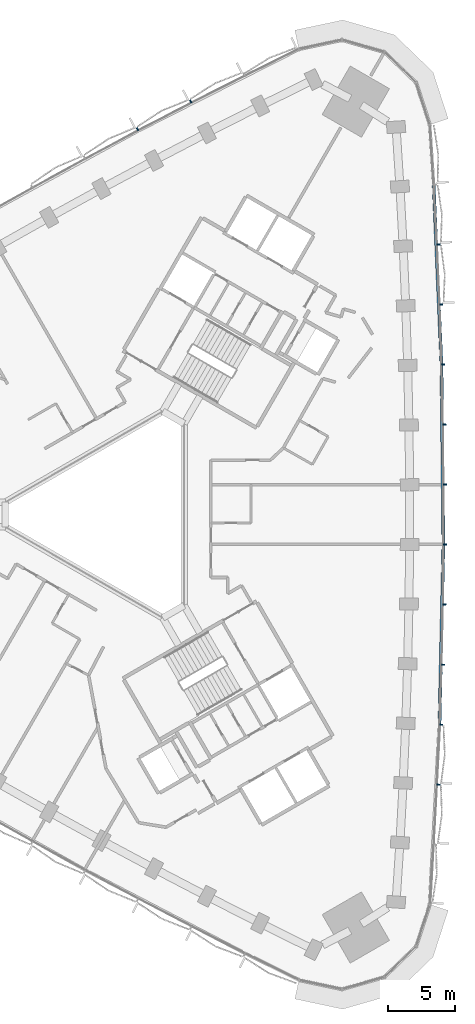
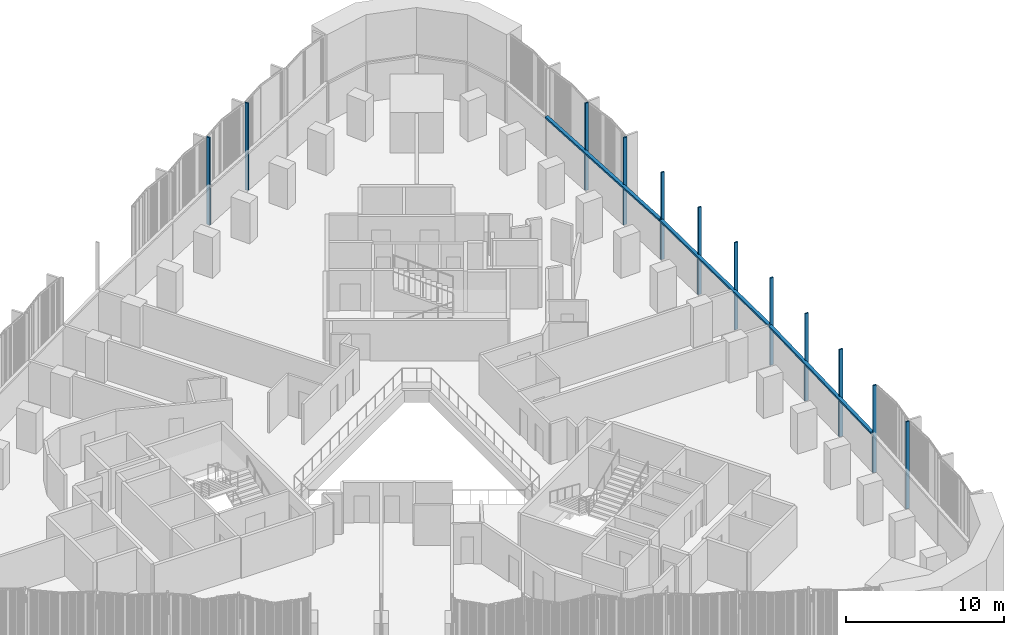
# One storey, part 6 of 16: 15 members, 2 elements without a shape of their own.
"""IFC4 building model written with IfcOpenShell, lengths in metres."""

import ifcopenshell
import ifcopenshell.guid

model = None  # the IFC model being written
_history = None  # IfcOwnerHistory: only IFC2X3 demands one
_inside = {}  # id of a spatial element -> (the spatial element, [elements in it])
_under = {}  # id of a project, library or spatial element -> (it, [spatial elements below it])
_declared = {}  # id of a project -> (the project, [libraries it declares])
_typed = {}  # id of a type object -> (the type object, [elements of that type])
_made_of = {}  # id of a material, layer set ... -> (it, [elements and type objects made of it])


def new_model(schema):
    """Start an empty IFC model of exactly this schema.

    Asked for "IFC4X3", IfcOpenShell would pick the latest addendum, in which some entities
    have other attributes; the version numbers below select the first issue.
    IFC2X3 requires an IfcOwnerHistory on every rooted entity: one is made here for all.
    """
    global model, _history
    if schema == "IFC4X3":
        model = ifcopenshell.file(schema_version=(4, 3, 0, 0))
    else:
        model = ifcopenshell.file(schema=schema)
    _inside.clear()
    _under.clear()
    _declared.clear()
    _typed.clear()
    _made_of.clear()
    _history = None
    if model.schema == "IFC2X3":
        org = make("IfcOrganization", Name="unknown")
        user = make(
            "IfcPersonAndOrganization",
            ThePerson=make("IfcPerson", FamilyName="unknown"),
            TheOrganization=org,
        )
        app = make(
            "IfcApplication",
            ApplicationDeveloper=org,
            Version="unknown",
            ApplicationFullName="unknown",
            ApplicationIdentifier="unknown",
        )
        _history = make(
            "IfcOwnerHistory",
            OwningUser=user,
            OwningApplication=app,
            ChangeAction="ADDED",
            CreationDate=0,
        )
    return model


def make(cls, **values):
    """One entity of the class cls with the attributes given. An attribute that is None is left unset."""
    return model.create_entity(
        cls, **{name: value for name, value in values.items() if value is not None}
    )


def rooted(cls, **values):
    """An entity with a GlobalId (a new one), such as an element, a storey or a relation."""
    return make(cls, GlobalId=ifcopenshell.guid.new(), OwnerHistory=_history, **values)


def si_unit(unit_type, name, prefix=None):
    """IfcSIUnit, for example si_unit("LENGTHUNIT", "METRE", prefix="MILLI")."""
    return make("IfcSIUnit", UnitType=unit_type, Prefix=prefix, Name=name)


def assignment(units):
    """IfcUnitAssignment: the units of a project."""
    return None if units is None else make("IfcUnitAssignment", Units=units)


def point(xyz):
    """IfcCartesianPoint."""
    return None if xyz is None else make("IfcCartesianPoint", Coordinates=xyz)


def direction(xyz):
    """IfcDirection."""
    return None if xyz is None else make("IfcDirection", DirectionRatios=xyz)


def frame(location, z_axis=None, x_axis=None):
    """IfcAxis2Placement3D, a coordinate frame: its origin and axes. An axis left out is left unset."""
    return make(
        "IfcAxis2Placement3D",
        Location=point(location),
        Axis=direction(z_axis),
        RefDirection=direction(x_axis),
    )


def frame_2d(location, x_axis=None):
    """IfcAxis2Placement2D, a coordinate frame in the plane: its origin and x axis."""
    return make(
        "IfcAxis2Placement2D", Location=point(location), RefDirection=direction(x_axis)
    )


def origin():
    """The frame at (0, 0, 0) with its axes left unset."""
    return frame((0.0, 0.0, 0.0))


def origin_2d():
    """The frame at (0, 0) in the plane with its x axis left unset."""
    return frame_2d((0.0, 0.0))


def place(relative_to, where):
    """IfcLocalPlacement: puts the frame where relative to a parent placement (None: the world)."""
    return make(
        "IfcLocalPlacement", PlacementRelTo=relative_to, RelativePlacement=where
    )


def context(
    kind, dimensions, precision=None, world=None, true_north=None, identifier=None
):
    """IfcGeometricRepresentationContext, for example the 3D "Model" context."""
    return make(
        "IfcGeometricRepresentationContext",
        ContextIdentifier=identifier,
        ContextType=kind,
        CoordinateSpaceDimension=dimensions,
        Precision=precision,
        WorldCoordinateSystem=world,
        TrueNorth=true_north,
    )


def subcontext(parent, identifier, kind, view, scale=None):
    """IfcGeometricRepresentationSubContext, for example "Body" below "Model"."""
    return make(
        "IfcGeometricRepresentationSubContext",
        ContextIdentifier=identifier,
        ContextType=kind,
        ParentContext=parent,
        TargetScale=scale,
        TargetView=view,
    )


def project(units=None, contexts=None):
    """IfcProject with its units and contexts."""
    return rooted(
        "IfcProject",
        Name="project",
        RepresentationContexts=contexts,
        UnitsInContext=assignment(units),
    )


def spatial(cls, under=None, at=None, **own):
    """A site, building, storey or space (cls), placed at a placement, below another one or the project."""
    s = rooted(cls, ObjectPlacement=at, **own)
    if under is not None:
        _under.setdefault(under.id(), (under, []))[1].append(s)
    return s


def profile(cls, at=None, kind="AREA", **sizes):
    """A parametric profile (cls). Its sizes go by their IFC names, for example OverallWidth=200.0."""
    return make(cls, ProfileType=kind, Position=at, **sizes)


def rectangle(**sizes):
    """IfcRectangleProfileDef."""
    return profile("IfcRectangleProfileDef", **sizes)


def extrude(swept, where, along, depth):
    """IfcExtrudedAreaSolid: the profile swept, set in the frame where, extruded along a direction by depth."""
    return make(
        "IfcExtrudedAreaSolid",
        SweptArea=swept,
        Position=where,
        ExtrudedDirection=direction(along),
        Depth=depth,
    )


def shape(context_of_items, identifier, shape_type, items):
    """IfcShapeRepresentation: the items that make up one representation, for example the "Body"."""
    return make(
        "IfcShapeRepresentation",
        ContextOfItems=context_of_items,
        RepresentationIdentifier=identifier,
        RepresentationType=shape_type,
        Items=items,
    )


def material(Name=None, Category=None):
    """IfcMaterial."""
    return make("IfcMaterial", Name=Name, Category=Category)


def material_profile(
    of_material, cross_section, Name=None, Category=None, Priority=None
):
    """IfcMaterialProfile: a cross section and its material."""
    return make(
        "IfcMaterialProfile",
        Name=Name,
        Material=of_material,
        Profile=cross_section,
        Priority=Priority,
        Category=Category,
    )


def profile_set(profiles, Name=None, composite=None):
    """IfcMaterialProfileSet."""
    return make(
        "IfcMaterialProfileSet",
        Name=Name,
        MaterialProfiles=profiles,
        CompositeProfile=composite,
    )


def made_of(thing, what):
    """Note that an element or type object is made of a material, layer set ...; save() writes the relation."""
    if what is not None:
        _made_of.setdefault(what.id(), (what, []))[1].append(thing)
    return thing


def type_object(cls, material=None, **own):
    """A type object (cls), such as IfcWallType, which elements share."""
    return made_of(rooted(cls, **own), material)


def element(
    cls,
    number,
    at=None,
    inside=None,
    cuts=None,
    type_object=None,
    material=None,
    context=None,
    identifier="Body",
    shape_type=None,
    held_by="IfcProductDefinitionShape",
    body=None,
    shapes=None,
    **own,
):
    """One element of the class cls, such as IfcWall. Its Tag is "e" and its number.

    at: its placement. inside: the storey or other place that contains it. cuts: it is an
    opening in that element (IfcRelVoidsElement). A single representation is given by context,
    identifier, shape_type and body (its items); several are given by shapes. held_by: the class
    of the entity that holds the representations. save() writes the other relations.
    """
    e = rooted(cls, Tag="e%d" % number, ObjectPlacement=at, **own)
    if body is not None:
        shapes = [shape(context, identifier, shape_type, body)]
    if shapes is not None:
        e.Representation = make(held_by, Representations=shapes)
    if inside is not None:
        _inside.setdefault(inside.id(), (inside, []))[1].append(e)
    if cuts is not None:
        rooted(
            "IfcRelVoidsElement", RelatingBuildingElement=cuts, RelatedOpeningElement=e
        )
    if type_object is not None:
        _typed.setdefault(type_object.id(), (type_object, []))[1].append(e)
    return made_of(e, material)


def aggregate(whole, parts):
    """IfcRelAggregates: a whole, such as a stair, and the parts it consists of."""
    return rooted("IfcRelAggregates", RelatingObject=whole, RelatedObjects=parts)


def save(model, path):
    """Write the relations noted so far, then the file.

    IfcRelAggregates (storeys below a building ...), IfcRelContainedInSpatialStructure (elements
    in a storey), IfcRelDefinesByType, IfcRelAssociatesMaterial and IfcRelDeclares: one each for
    every whole, place, type object, material and project.
    """
    for whole, parts in _under.values():
        aggregate(whole, parts)
    for where, things in _inside.values():
        rooted(
            "IfcRelContainedInSpatialStructure",
            RelatedElements=things,
            RelatingStructure=where,
        )
    for kind, things in _typed.values():
        rooted("IfcRelDefinesByType", RelatedObjects=things, RelatingType=kind)
    for what, things in _made_of.values():
        rooted("IfcRelAssociatesMaterial", RelatedObjects=things, RelatingMaterial=what)
    for by, libraries in _declared.values():
        rooted("IfcRelDeclares", RelatingContext=by, RelatedDefinitions=libraries)
    model.write(path)


model = new_model("IFC4")

# Units and contexts
model_context = context("Model", 3, precision=1e-05, world=origin(), true_north=direction((0.0, 1.0)))
body_context = subcontext(model_context, "Body", "Model", "MODEL_VIEW")
ifc_project = project(units=[si_unit("LENGTHUNIT", "METRE"), si_unit("AREAUNIT", "SQUARE_METRE"), si_unit("VOLUMEUNIT", "CUBIC_METRE"), si_unit("PLANEANGLEUNIT", "RADIAN"), si_unit("MASSUNIT", "GRAM", prefix="KILO")], contexts=[model_context])

# Site, building, storey
site_placement = place(None, origin())
site = spatial("IfcSite", under=ifc_project, at=site_placement, CompositionType="ELEMENT")
building_placement = place(site_placement, origin())
building = spatial("IfcBuilding", under=site, at=building_placement, Name="Tamra Quay Hotel Tower", CompositionType="ELEMENT")
storey_placement = place(building_placement, frame((0.0, 0.0, 45.800048828125)))
storey = spatial("IfcBuildingStorey", under=building, at=storey_placement, Name="L09", CompositionType="ELEMENT", Elevation=45.800048828125)

# Curtain wall, members
ifc_material = material(Name="Aluminium 6063 anodised dark grey", Category="aluminium")
curtain_wall_type_1 = type_object("IfcCurtainWallType", Name="CW1 CURTAIN WALL", PredefinedType="NOTDEFINED", material=ifc_material)
curtain_wall_1_placement = place(storey_placement, origin())
curtain_wall_1 = element("IfcCurtainWall", 1, at=curtain_wall_1_placement, inside=storey, type_object=curtain_wall_type_1, Name="CW1 east face L09", PredefinedType="NOTDEFINED")
ifc_material_profile_1 = material_profile(ifc_material, rectangle(XDim=0.239990234375, YDim=0.10009765625, at=origin_2d()), Name="MULLION 100X240")
ifc_profile_set_1 = profile_set([ifc_material_profile_1], Name="Aluminium 6063 anodised dark grey")
member_type_1 = type_object("IfcMemberType", Name="MULLION CW1 Z1", PredefinedType="MULLION", material=ifc_profile_set_1)
member_1_placement = place(storey_placement, frame((24.06298828125, -20.2373046875, 0.0), z_axis=(0.0, 0.0, 1.0), x_axis=(0.998814694093, -0.048674499108, 0.0)))
member_1 = element("IfcMember", 2, at=member_1_placement, type_object=member_type_1, Name="CW1 mullion L09.E.3", PredefinedType="MULLION", context=body_context, shape_type="SweptSolid", body=[
    extrude(rectangle(XDim=0.239990234375, YDim=0.10009765625, at=origin_2d()), origin(), (0.0, 0.0, 1.0), 6.724853515625),
])
member_2_placement = place(storey_placement, frame((24.2578125, -15.742919921875, 0.0), z_axis=(0.0, 0.0, 1.0), x_axis=(0.999282269294, -0.037880684725, 0.0)))
member_2 = element("IfcMember", 3, at=member_2_placement, type_object=member_type_1, Name="CW1 mullion L09.E.4", PredefinedType="MULLION", context=body_context, shape_type="SweptSolid", body=[
    extrude(rectangle(XDim=0.239990234375, YDim=0.10009765625, at=origin_2d()), origin(), (0.0, 0.0, 1.0), 6.724853515625),
])
member_3_placement = place(storey_placement, frame((24.40380859375, -11.246826171875, 0.0), z_axis=(0.0, 0.0, 1.0), x_axis=(0.999633634744, -0.027066515987, 0.0)))
member_3 = element("IfcMember", 4, at=member_3_placement, type_object=member_type_1, Name="CW1 mullion L09.E.5", PredefinedType="MULLION", context=body_context, shape_type="SweptSolid", body=[
    extrude(rectangle(XDim=0.239990234375, YDim=0.10009765625, at=origin_2d()), origin(), (0.0, 0.0, 1.0), 6.724853515625),
])
member_4_placement = place(storey_placement, frame((24.50146484375, -6.74755859375, 0.0), z_axis=(0.0, 0.0, 1.0), x_axis=(0.99986801088, -0.01624687107, 0.0)))
member_4 = element("IfcMember", 5, at=member_4_placement, type_object=member_type_1, Name="CW1 mullion L09.E.6", PredefinedType="MULLION", context=body_context, shape_type="SweptSolid", body=[
    extrude(rectangle(XDim=0.239990234375, YDim=0.10009765625, at=origin_2d()), origin(), (0.0, 0.0, 1.0), 6.724853515625),
])
member_5_placement = place(storey_placement, frame((24.550048828125, -2.249267578125, 0.0), z_axis=(0.0, 0.0, 1.0), x_axis=(0.999985322571, -0.005417992405, 0.0)))
member_5 = element("IfcMember", 6, at=member_5_placement, type_object=member_type_1, Name="CW1 mullion L09.E.7", PredefinedType="MULLION", context=body_context, shape_type="SweptSolid", body=[
    extrude(rectangle(XDim=0.239990234375, YDim=0.10009765625, at=origin_2d()), origin(), (0.0, 0.0, 1.0), 6.724853515625),
])
member_6_placement = place(storey_placement, frame((24.550048828125, 2.249267578125, 0.0), z_axis=(0.0, 0.0, 1.0), x_axis=(0.999985322571, 0.005417992405, 0.0)))
member_6 = element("IfcMember", 7, at=member_6_placement, type_object=member_type_1, Name="CW1 mullion L09.E.8", PredefinedType="MULLION", context=body_context, shape_type="SweptSolid", body=[
    extrude(rectangle(XDim=0.239990234375, YDim=0.10009765625, at=origin_2d()), origin(), (0.0, 0.0, 1.0), 6.724853515625),
])
member_7_placement = place(storey_placement, frame((24.50146484375, 6.74755859375, 0.0), z_axis=(0.0, 0.0, 1.0), x_axis=(0.99986801088, 0.01624687107, 0.0)))
member_7 = element("IfcMember", 8, at=member_7_placement, type_object=member_type_1, Name="CW1 mullion L09.E.9", PredefinedType="MULLION", context=body_context, shape_type="SweptSolid", body=[
    extrude(rectangle(XDim=0.239990234375, YDim=0.10009765625, at=origin_2d()), origin(), (0.0, 0.0, 1.0), 6.724853515625),
])
member_8_placement = place(storey_placement, frame((24.40380859375, 11.246826171875, 0.0), z_axis=(0.0, 0.0, 1.0), x_axis=(0.999633634744, 0.027066515987, 0.0)))
member_8 = element("IfcMember", 9, at=member_8_placement, type_object=member_type_1, Name="CW1 mullion L09.E.10", PredefinedType="MULLION", context=body_context, shape_type="SweptSolid", body=[
    extrude(rectangle(XDim=0.239990234375, YDim=0.10009765625, at=origin_2d()), origin(), (0.0, 0.0, 1.0), 6.724853515625),
])
member_9_placement = place(storey_placement, frame((24.2578125, 15.742919921875, 0.0), z_axis=(0.0, 0.0, 1.0), x_axis=(0.999282269294, 0.037880684725, 0.0)))
member_9 = element("IfcMember", 10, at=member_9_placement, type_object=member_type_1, Name="CW1 mullion L09.E.11", PredefinedType="MULLION", context=body_context, shape_type="SweptSolid", body=[
    extrude(rectangle(XDim=0.239990234375, YDim=0.10009765625, at=origin_2d()), origin(), (0.0, 0.0, 1.0), 6.724853515625),
])
member_10_placement = place(storey_placement, frame((24.06298828125, 20.2373046875, 0.0), z_axis=(0.0, 0.0, 1.0), x_axis=(0.998814694093, 0.048674499108, 0.0)))
member_10 = element("IfcMember", 11, at=member_10_placement, type_object=member_type_1, Name="CW1 mullion L09.E.12", PredefinedType="MULLION", context=body_context, shape_type="SweptSolid", body=[
    extrude(rectangle(XDim=0.239990234375, YDim=0.10009765625, at=origin_2d()), origin(), (0.0, 0.0, 1.0), 6.724853515625),
])

curtain_wall_type_2 = type_object("IfcCurtainWallType", Name="CW2 CURTAIN WALL", PredefinedType="NOTDEFINED", material=ifc_material)
curtain_wall_2_placement = place(storey_placement, origin())
curtain_wall_2 = element("IfcCurtainWall", 12, at=curtain_wall_2_placement, inside=storey, type_object=curtain_wall_type_2, Name="CW2 north-west face L09", PredefinedType="NOTDEFINED")
ifc_material_profile_2 = material_profile(ifc_material, rectangle(XDim=0.239990234375, YDim=0.10009765625, at=origin_2d()), Name="MULLION 100X240")
ifc_profile_set_2 = profile_set([ifc_material_profile_2], Name="Aluminium 6063 anodised dark grey")
member_type_2 = type_object("IfcMemberType", Name="MULLION CW2 Z1", PredefinedType="MULLION", material=ifc_profile_set_2)
member_11_placement = place(storey_placement, frame((5.49462890625, 30.9580078125, 0.0), z_axis=(0.0, 0.0, 1.0), x_axis=(-0.457253994303, 0.889336148312, 0.0)))
member_11 = element("IfcMember", 13, at=member_11_placement, type_object=member_type_2, Name="CW2 mullion L09.NW.3", PredefinedType="MULLION", context=body_context, shape_type="SweptSolid", body=[
    extrude(rectangle(XDim=0.239990234375, YDim=0.10009765625, at=origin_2d()), origin(), (0.0, 0.0, 1.0), 6.724853515625),
])
member_12_placement = place(storey_placement, frame((1.5048828125, 28.87939453125, 0.0), z_axis=(0.0, 0.0, 1.0), x_axis=(-0.466835499362, 0.884344173122, 0.0)))
member_12 = element("IfcMember", 14, at=member_12_placement, type_object=member_type_2, Name="CW2 mullion L09.NW.4", PredefinedType="MULLION", context=body_context, shape_type="SweptSolid", body=[
    extrude(rectangle(XDim=0.239990234375, YDim=0.10009765625, at=origin_2d()), origin(), (0.0, 0.0, 1.0), 6.724853515625),
])
aggregate(curtain_wall_2, [member_11, member_12])

# Member
ifc_material_profile_3 = material_profile(ifc_material, rectangle(XDim=0.239990234375, YDim=0.139892578125, at=origin_2d()), Name="TRANSOM 240X140")
ifc_profile_set_3 = profile_set([ifc_material_profile_3], Name="Aluminium 6063 anodised dark grey")
member_type_3 = type_object("IfcMemberType", Name="TRANSOM CW1 Z1", PredefinedType="USERDEFINED", material=ifc_profile_set_3)
member_13_placement = place(storey_placement, frame((24.139404296875, -15.6884765625, 3.054931640625), z_axis=(0.02165596486, 0.999765482094, 0.0), x_axis=(-0.999765482094, 0.02165596486, 0.0)))
member_13 = element("IfcMember", 15, at=member_13_placement, type_object=member_type_3, Name="CW1 transom L09.E.4", ObjectType="TRANSOM", PredefinedType="USERDEFINED", context=body_context, shape_type="SweptSolid", body=[
    extrude(rectangle(XDim=0.239990234375, YDim=0.139892578125, at=origin_2d()), origin(), (0.0, 0.0, 1.0), 13.39306640625),
])

member_14_placement = place(storey_placement, frame((24.43017578125, -2.19873046875, 3.054931640625), z_axis=(-0.010846139849, 0.999941178895, 0.0), x_axis=(-0.999941178895, -0.010846139849, 0.0)))
member_14 = element("IfcMember", 16, at=member_14_placement, type_object=member_type_3, Name="CW1 transom L09.E.7", ObjectType="TRANSOM", PredefinedType="USERDEFINED", context=body_context, shape_type="SweptSolid", body=[
    extrude(rectangle(XDim=0.239990234375, YDim=0.139892578125, at=origin_2d()), origin(), (0.0, 0.0, 1.0), 13.39306640625),
])

member_15_placement = place(storey_placement, frame((24.2822265625, 11.29345703125, 3.054931640625), z_axis=(-0.043275844727, 0.999063161799, 0.0), x_axis=(-0.999063161799, -0.043275844727, 0.0)))
member_15 = element("IfcMember", 17, at=member_15_placement, type_object=member_type_3, Name="CW1 transom L09.E.10", ObjectType="TRANSOM", PredefinedType="USERDEFINED", context=body_context, shape_type="SweptSolid", body=[
    extrude(rectangle(XDim=0.239990234375, YDim=0.139892578125, at=origin_2d()), origin(), (0.0, 0.0, 1.0), 13.392822265625),
])

aggregate(curtain_wall_1, [member_1, member_2, member_13, member_3, member_4, member_5, member_14, member_6, member_7, member_8, member_15, member_9, member_10])

save(model, "model.ifc")
